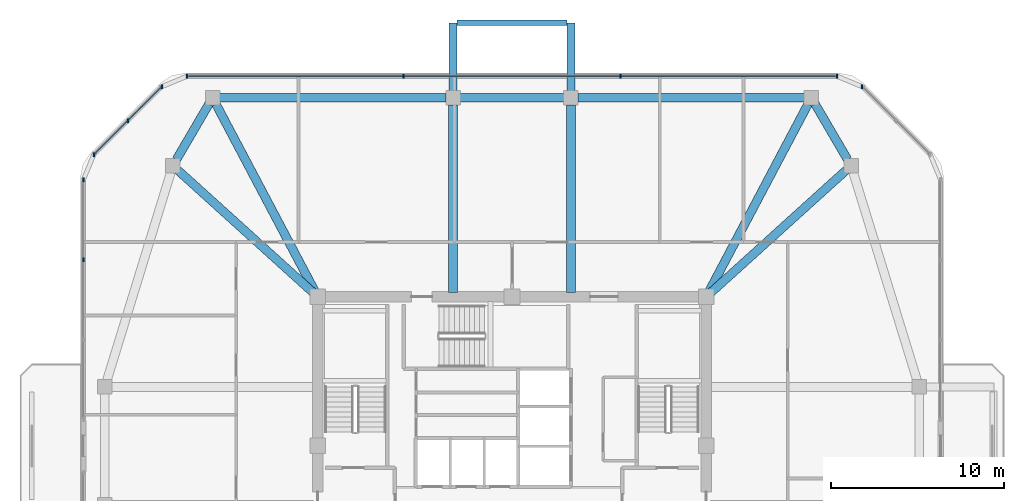
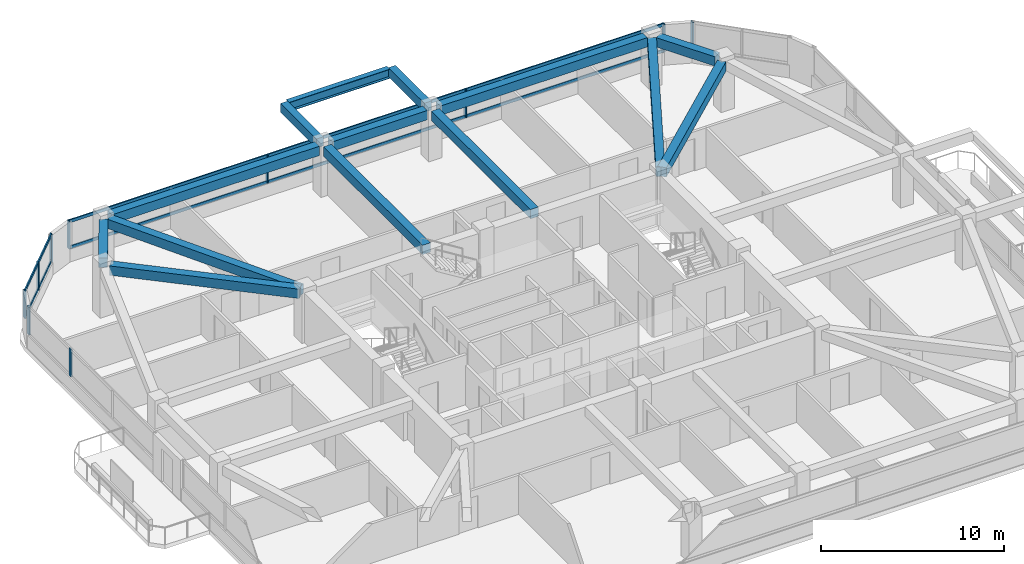
# One storey, part 6 of 14: 14 beams, 14 members, 4 elements without a shape of their own.
"""IFC4 building model written with IfcOpenShell, lengths in metres."""

from ifc_helpers import new_model, si_unit, derived_unit, direction, frame, origin, origin_2d, place, context, subcontext, project, spatial, rectangle, i_section, extrude, material, material_profile, profile_set, type_object, element, aggregate, save


model = new_model("IFC4")

# Units and contexts
model_context = context("Model", 3, precision=1e-05, world=origin(), true_north=direction((0.0, 1.0)))
body_context = subcontext(model_context, "Body", "Model", "MODEL_VIEW")
ifc_project = project(units=[si_unit("LENGTHUNIT", "METRE"), si_unit("AREAUNIT", "SQUARE_METRE"), si_unit("VOLUMEUNIT", "CUBIC_METRE"), si_unit("PLANEANGLEUNIT", "RADIAN"), si_unit("MASSUNIT", "GRAM", prefix="KILO"), derived_unit("THERMALTRANSMITTANCEUNIT", [(si_unit("POWERUNIT", "WATT"), 1), (si_unit("LENGTHUNIT", "METRE"), -2), (si_unit("THERMODYNAMICTEMPERATUREUNIT", "KELVIN"), -1)])], contexts=[model_context])

# Site, building, storey
site_placement = place(None, origin())
site = spatial("IfcSite", under=ifc_project, at=site_placement, CompositionType="ELEMENT")
building_placement = place(site_placement, origin())
building = spatial("IfcBuilding", under=site, at=building_placement, Name="Koralith Skygarden Medical Center", CompositionType="ELEMENT")
storey_placement = place(building_placement, frame((0.0, 0.0, 242.820068359375)))
storey = spatial("IfcBuildingStorey", under=building, at=storey_placement, Name="L62", CompositionType="ELEMENT", Elevation=242.820068359375)

# Curtain wall, member
ifc_material_1 = material(Name="Clear Laminated Glass", Category="glass")
curtain_wall_type = type_object("IfcCurtainWallType", Name="CW-6 Zone 5 Upper Clinical Curtain Wall", PredefinedType="NOTDEFINED", material=ifc_material_1)
curtain_wall_1_placement = place(storey_placement, origin())
curtain_wall_1 = element("IfcCurtainWall", 1, at=curtain_wall_1_placement, inside=storey, type_object=curtain_wall_type, Name="Curtain Wall CW-L62-NE", PredefinedType="NOTDEFINED")
ifc_material_2 = material(Name="Aluminium 6063-T6", Category="aluminium")
ifc_material_profile_1 = material_profile(ifc_material_2, rectangle(XDim=0.0830078125, YDim=0.219970703125, at=origin_2d()), Name="MUL83X220")
ifc_profile_set_1 = profile_set([ifc_material_profile_1], Name="Aluminium 6063-T6")
member_type_1 = type_object("IfcMemberType", Name="CW-6 Extruded Mullion 83x220", PredefinedType="MULLION", material=ifc_profile_set_1)
member_1_placement = place(storey_placement, frame((57.196044921875, 46.618896484375, 0.849853515625), z_axis=(0.0, 0.0, 1.0), x_axis=(1.0, 0.0, 0.0)))
member_1 = element("IfcMember", 2, at=member_1_placement, type_object=member_type_1, Name="CW-L62-NE Mullion 3", PredefinedType="MULLION", context=body_context, shape_type="SweptSolid", body=[
    extrude(rectangle(XDim=0.0830078125, YDim=0.219970703125, at=origin_2d()), origin(), (0.0, 0.0, 1.0), 1.840087890625),
])
aggregate(curtain_wall_1, [member_1])

# Curtain wall, members
curtain_wall_2_placement = place(storey_placement, origin())
curtain_wall_2 = element("IfcCurtainWall", 3, at=curtain_wall_2_placement, inside=storey, type_object=curtain_wall_type, Name="Curtain Wall CW-L62-N", PredefinedType="NOTDEFINED")
member_2_placement = place(storey_placement, frame((55.7451171875, 47.219970703125, 0.849853515625), z_axis=(0.0, 0.0, 1.0), x_axis=(1.0, 0.0, 0.0)))
member_2 = element("IfcMember", 4, at=member_2_placement, type_object=member_type_1, Name="CW-L62-N Mullion 1", PredefinedType="MULLION", context=body_context, shape_type="SweptSolid", body=[
    extrude(rectangle(XDim=0.0830078125, YDim=0.219970703125, at=origin_2d()), origin(), (0.0, 0.0, 1.0), 1.840087890625),
])
member_3_placement = place(storey_placement, frame((43.248046875, 47.219970703125, 0.849853515625), z_axis=(0.0, 0.0, 1.0), x_axis=(1.0, 0.0, 0.0)))
member_3 = element("IfcMember", 5, at=member_3_placement, type_object=member_type_1, Name="CW-L62-N Mullion 2", PredefinedType="MULLION", context=body_context, shape_type="SweptSolid", body=[
    extrude(rectangle(XDim=0.0830078125, YDim=0.219970703125, at=origin_2d()), origin(), (0.0, 0.0, 1.0), 1.840087890625),
])
member_4_placement = place(storey_placement, frame((30.751953125, 47.219970703125, 0.849853515625), z_axis=(0.0, 0.0, 1.0), x_axis=(1.0, 0.0, 0.0)))
member_4 = element("IfcMember", 6, at=member_4_placement, type_object=member_type_1, Name="CW-L62-N Mullion 3", PredefinedType="MULLION", context=body_context, shape_type="SweptSolid", body=[
    extrude(rectangle(XDim=0.0830078125, YDim=0.219970703125, at=origin_2d()), origin(), (0.0, 0.0, 1.0), 1.840087890625),
])
member_5_placement = place(storey_placement, frame((18.2548828125, 47.219970703125, 0.849853515625), z_axis=(0.0, 0.0, 1.0), x_axis=(1.0, 0.0, 0.0)))
member_5 = element("IfcMember", 7, at=member_5_placement, type_object=member_type_1, Name="CW-L62-N Mullion 4", PredefinedType="MULLION", context=body_context, shape_type="SweptSolid", body=[
    extrude(rectangle(XDim=0.0830078125, YDim=0.219970703125, at=origin_2d()), origin(), (0.0, 0.0, 1.0), 1.840087890625),
])

curtain_wall_3_placement = place(storey_placement, origin())
curtain_wall_3 = element("IfcCurtainWall", 8, at=curtain_wall_3_placement, inside=storey, type_object=curtain_wall_type, Name="Curtain Wall CW-L62-NW", PredefinedType="NOTDEFINED")
member_6_placement = place(storey_placement, frame((16.803955078125, 46.618896484375, 0.849853515625), z_axis=(0.0, 0.0, 1.0), x_axis=(1.0, 0.0, 0.0)))
member_6 = element("IfcMember", 9, at=member_6_placement, type_object=member_type_1, Name="CW-L62-NW Mullion 1", PredefinedType="MULLION", context=body_context, shape_type="SweptSolid", body=[
    extrude(rectangle(XDim=0.0830078125, YDim=0.219970703125, at=origin_2d()), origin(), (0.0, 0.0, 1.0), 1.840087890625),
])
member_7_placement = place(storey_placement, frame((14.842041015625, 44.656982421875, 0.849853515625), z_axis=(0.0, 0.0, 1.0), x_axis=(1.0, 0.0, 0.0)))
member_7 = element("IfcMember", 10, at=member_7_placement, type_object=member_type_1, Name="CW-L62-NW Mullion 2", PredefinedType="MULLION", context=body_context, shape_type="SweptSolid", body=[
    extrude(rectangle(XDim=0.0830078125, YDim=0.219970703125, at=origin_2d()), origin(), (0.0, 0.0, 1.0), 1.840087890625),
])
member_8_placement = place(storey_placement, frame((12.881103515625, 42.696044921875, 0.849853515625), z_axis=(0.0, 0.0, 1.0), x_axis=(1.0, 0.0, 0.0)))
member_8 = element("IfcMember", 11, at=member_8_placement, type_object=member_type_1, Name="CW-L62-NW Mullion 3", PredefinedType="MULLION", context=body_context, shape_type="SweptSolid", body=[
    extrude(rectangle(XDim=0.0830078125, YDim=0.219970703125, at=origin_2d()), origin(), (0.0, 0.0, 1.0), 1.840087890625),
])

curtain_wall_4_placement = place(storey_placement, origin())
curtain_wall_4 = element("IfcCurtainWall", 12, at=curtain_wall_4_placement, inside=storey, type_object=curtain_wall_type, Name="Curtain Wall CW-L62-W-L", PredefinedType="NOTDEFINED")
member_9_placement = place(storey_placement, frame((12.280029296875, 41.2451171875, 0.849853515625), z_axis=(0.0, 0.0, 1.0), x_axis=(1.0, 0.0, 0.0)))
member_9 = element("IfcMember", 13, at=member_9_placement, type_object=member_type_1, Name="CW-L62-W-L Mullion 1", PredefinedType="MULLION", context=body_context, shape_type="SweptSolid", body=[
    extrude(rectangle(XDim=0.0830078125, YDim=0.219970703125, at=origin_2d()), origin(), (0.0, 0.0, 1.0), 1.840087890625),
])
member_10_placement = place(storey_placement, frame((12.280029296875, 36.64306640625, 0.849853515625), z_axis=(0.0, 0.0, 1.0), x_axis=(1.0, 0.0, 0.0)))
member_10 = element("IfcMember", 14, at=member_10_placement, type_object=member_type_1, Name="CW-L62-W-L Mullion 2", PredefinedType="MULLION", context=body_context, shape_type="SweptSolid", body=[
    extrude(rectangle(XDim=0.0830078125, YDim=0.219970703125, at=origin_2d()), origin(), (0.0, 0.0, 1.0), 1.840087890625),
])
aggregate(curtain_wall_4, [member_9, member_10])

# Member
ifc_material_profile_2 = material_profile(ifc_material_2, rectangle(XDim=0.077880859375, YDim=0.197998046875, at=origin_2d()), Name="TRN78X198")
ifc_profile_set_2 = profile_set([ifc_material_profile_2], Name="Aluminium 6063-T6")
member_type_2 = type_object("IfcMemberType", Name="CW-6 Thermal Transom 78x198", PredefinedType="USERDEFINED", material=ifc_profile_set_2)
member_11_placement = place(storey_placement, frame((55.7451171875, 47.219970703125, 0.89990234375), z_axis=(-1.0, 0.0, 0.0), x_axis=(0.0, -1.0, 0.0)))
member_11 = element("IfcMember", 15, at=member_11_placement, type_object=member_type_2, Name="CW-L62-N Transom 1", ObjectType="TRANSOM", PredefinedType="USERDEFINED", context=body_context, shape_type="SweptSolid", body=[
    extrude(rectangle(XDim=0.077880859375, YDim=0.197998046875, at=origin_2d()), origin(), (0.0, 0.0, 1.0), 37.490234375),
])

member_12_placement = place(storey_placement, frame((55.7451171875, 47.219970703125, 2.639892578125), z_axis=(-1.0, 0.0, 0.0), x_axis=(0.0, -1.0, 0.0)))
member_12 = element("IfcMember", 16, at=member_12_placement, type_object=member_type_2, Name="CW-L62-N Transom 2", ObjectType="TRANSOM", PredefinedType="USERDEFINED", context=body_context, shape_type="SweptSolid", body=[
    extrude(rectangle(XDim=0.077880859375, YDim=0.197998046875, at=origin_2d()), origin(), (0.0, 0.0, 1.0), 37.490234375),
])

aggregate(curtain_wall_2, [member_2, member_3, member_4, member_5, member_11, member_12])

member_13_placement = place(storey_placement, frame((16.803955078125, 46.618896484375, 0.89990234375), z_axis=(-0.707106781187, -0.707106781187, 0.0), x_axis=(0.707106781187, -0.707106781187, 0.0)))
member_13 = element("IfcMember", 17, at=member_13_placement, type_object=member_type_2, Name="CW-L62-NW Transom 1", ObjectType="TRANSOM", PredefinedType="USERDEFINED", context=body_context, shape_type="SweptSolid", body=[
    extrude(rectangle(XDim=0.077880859375, YDim=0.197998046875, at=origin_2d()), origin(), (0.0, 0.0, 1.0), 5.5478515625),
])

member_14_placement = place(storey_placement, frame((16.803955078125, 46.618896484375, 2.639892578125), z_axis=(-0.707106781187, -0.707106781187, 0.0), x_axis=(0.707106781187, -0.707106781187, 0.0)))
member_14 = element("IfcMember", 18, at=member_14_placement, type_object=member_type_2, Name="CW-L62-NW Transom 2", ObjectType="TRANSOM", PredefinedType="USERDEFINED", context=body_context, shape_type="SweptSolid", body=[
    extrude(rectangle(XDim=0.077880859375, YDim=0.197998046875, at=origin_2d()), origin(), (0.0, 0.0, 1.0), 5.5478515625),
])

aggregate(curtain_wall_3, [member_6, member_7, member_8, member_13, member_14])

# Beams
ifc_material_3 = material(Name="Steel ASTM A992 Grade 50", Category="steel")
ifc_material_profile_3 = material_profile(ifc_material_3, i_section(OverallWidth=0.326904296875, OverallDepth=0.6220703125, WebThickness=0.015380859375, FlangeThickness=0.0244140625, at=origin_2d()), Name="W24X131")
ifc_profile_set_3 = profile_set([ifc_material_profile_3], Name="Steel ASTM A992 Grade 50")
beam_type_1 = type_object("IfcBeamType", Name="Cantilever Tie Beam W24X131", PredefinedType="BEAM", material=ifc_profile_set_3)
beam_1_placement = place(storey_placement, frame((33.820068359375, 50.300048828125, 3.029052734375), z_axis=(1.0, 0.0, 0.0), x_axis=(0.0, 1.0, 0.0)))
element("IfcBeam", 19, at=beam_1_placement, inside=storey, type_object=beam_type_1, Name="L63 N Balcony Tip Tie Beam", PredefinedType="BEAM", context=body_context, shape_type="SweptSolid", body=[
    extrude(i_section(OverallWidth=0.326904296875, OverallDepth=0.6220703125, WebThickness=0.015380859375, FlangeThickness=0.0244140625, at=origin_2d()), origin(), (0.0, 0.0, 1.0), 6.35986328125),
])
ifc_material_4 = material(Name="Concrete C45/55", Category="concrete")
ifc_material_profile_4 = material_profile(ifc_material_4, rectangle(XDim=0.449951171875, YDim=0.60009765625, at=origin_2d()), Name="RCB450X600")
ifc_profile_set_4 = profile_set([ifc_material_profile_4], Name="Concrete C45/55")
beam_type_2 = type_object("IfcBeamType", Name="Planted Balcony Cantilever Beam RCB450X600", PredefinedType="BEAM", material=ifc_profile_set_4)
for number, where, z_axis, x_axis, name in (
    (20, (33.60009765625, 46.3798828125, 3.0400390625), (0.0, 1.0, 0.0), (-1.0, 0.0, 0.0), "L63 N Balcony Cantilever Beam A"),
    (21, (40.39990234375, 46.3798828125, 3.0400390625), (0.0, 1.0, 0.0), (-1.0, 0.0, 0.0), "L63 N Balcony Cantilever Beam B"),
):
    element("IfcBeam", number, at=place(storey_placement, frame(where, z_axis=z_axis, x_axis=x_axis)), inside=storey, type_object=beam_type_2, Name=name, PredefinedType="BEAM", context=body_context, shape_type="SweptSolid", body=[
        extrude(rectangle(XDim=0.449951171875, YDim=0.60009765625, at=origin_2d()), origin(), (0.0, 0.0, 1.0), 3.920166015625),
    ])
ifc_material_profile_5 = material_profile(ifc_material_4, rectangle(XDim=0.5, YDim=0.6201171875, at=origin_2d()), Name="RCB500X620")
ifc_profile_set_5 = profile_set([ifc_material_profile_5], Name="Concrete C45/55")
beam_type_3 = type_object("IfcBeamType", Name="Upper Radial Collector Beam RCB500X620", PredefinedType="BEAM", material=ifc_profile_set_5)
beam_2_placement = place(storey_placement, frame((48.385009765625, 34.66796875, 3.010009765625), z_axis=(0.741747768548, 0.670678945438, 0.0), x_axis=(-0.670678945438, 0.741747768548, 0.0)))
element("IfcBeam", 22, at=beam_2_placement, inside=storey, type_object=beam_type_3, Name="L62 Radial Collector Beam RB-10", PredefinedType="BEAM", context=body_context, shape_type="SweptSolid", body=[
    extrude(rectangle(XDim=0.5, YDim=0.6201171875, at=origin_2d()), origin(), (0.0, 0.0, 1.0), 10.611572265625),
])
beam_3_placement = place(storey_placement, frame((48.31689453125, 34.720947265625, 3.010009765625), z_axis=(0.467256895772, 0.884121594213, 0.0), x_axis=(-0.884121594213, 0.467256895772, 0.0)))
element("IfcBeam", 23, at=beam_3_placement, inside=storey, type_object=beam_type_3, Name="L62 Radial Collector Beam RB-11", PredefinedType="BEAM", context=body_context, shape_type="SweptSolid", body=[
    extrude(rectangle(XDim=0.5, YDim=0.6201171875, at=origin_2d()), origin(), (0.0, 0.0, 1.0), 12.3251953125),
])
for number, where, z_axis, x_axis, name in (
    (24, (40.39990234375, 34.75, 3.010009765625), (0.0, 1.0, 0.0), (-1.0, 0.0, 0.0), "L62 Radial Collector Beam RB-12"),
    (25, (33.60009765625, 34.75, 3.010009765625), (0.0, 1.0, 0.0), (-1.0, 0.0, 0.0), "L62 Radial Collector Beam RB-13"),
):
    element("IfcBeam", number, at=place(storey_placement, frame(where, z_axis=z_axis, x_axis=x_axis)), inside=storey, type_object=beam_type_3, Name=name, PredefinedType="BEAM", context=body_context, shape_type="SweptSolid", body=[
        extrude(rectangle(XDim=0.5, YDim=0.6201171875, at=origin_2d()), origin(), (0.0, 0.0, 1.0), 10.820068359375),
    ])
beam_4_placement = place(storey_placement, frame((25.68310546875, 34.720947265625, 3.010009765625), z_axis=(-0.467256895772, 0.884121594213, 0.0), x_axis=(-0.884121594213, -0.467256895772, 0.0)))
element("IfcBeam", 26, at=beam_4_placement, inside=storey, type_object=beam_type_3, Name="L62 Radial Collector Beam RB-14", PredefinedType="BEAM", context=body_context, shape_type="SweptSolid", body=[
    extrude(rectangle(XDim=0.5, YDim=0.6201171875, at=origin_2d()), origin(), (0.0, 0.0, 1.0), 12.3251953125),
])
beam_5_placement = place(storey_placement, frame((25.614990234375, 34.66796875, 3.010009765625), z_axis=(-0.741747768548, 0.670678945438, 0.0), x_axis=(-0.670678945438, -0.741747768548, 0.0)))
element("IfcBeam", 27, at=beam_5_placement, inside=storey, type_object=beam_type_3, Name="L62 Radial Collector Beam RB-15", PredefinedType="BEAM", context=body_context, shape_type="SweptSolid", body=[
    extrude(rectangle(XDim=0.5, YDim=0.6201171875, at=origin_2d()), origin(), (0.0, 0.0, 1.0), 10.611572265625),
])
ifc_material_profile_6 = material_profile(ifc_material_4, rectangle(XDim=0.5, YDim=0.6201171875, at=origin_2d()), Name="RCB500X620")
ifc_profile_set_6 = profile_set([ifc_material_profile_6], Name="Concrete C45/55")
beam_type_4 = type_object("IfcBeamType", Name="Zone 4-5 Spandrel Beam RCB500X620", PredefinedType="SPANDREL", material=ifc_profile_set_6)
beam_6_placement = place(storey_placement, frame((56.35302734375, 42.4140625, 3.010009765625), z_axis=(-0.50473571007, 0.863273921175, 0.0), x_axis=(-0.863273921175, -0.50473571007, 0.0)))
element("IfcBeam", 28, at=beam_6_placement, inside=storey, type_object=beam_type_4, Name="L62 Perimeter Spandrel Beam SP-10", PredefinedType="SPANDREL", context=body_context, shape_type="SweptSolid", body=[
    extrude(rectangle(XDim=0.5, YDim=0.6201171875, at=origin_2d()), origin(), (0.0, 0.0, 1.0), 3.720703125),
])
beam_7_placement = place(storey_placement, frame((53.85791015625, 45.97998046875, 3.010009765625), z_axis=(-1.0, 0.0, 0.0), x_axis=(0.0, -1.0, 0.0)))
element("IfcBeam", 29, at=beam_7_placement, inside=storey, type_object=beam_type_4, Name="L62 Perimeter Spandrel Beam SP-11", PredefinedType="SPANDREL", context=body_context, shape_type="SweptSolid", body=[
    extrude(rectangle(XDim=0.5, YDim=0.6201171875, at=origin_2d()), origin(), (0.0, 0.0, 1.0), 13.0478515625),
])
beam_8_placement = place(storey_placement, frame((39.989990234375, 45.97998046875, 3.010009765625), z_axis=(-1.0, 0.0, 0.0), x_axis=(0.0, -1.0, 0.0)))
element("IfcBeam", 30, at=beam_8_placement, inside=storey, type_object=beam_type_4, Name="L62 Perimeter Spandrel Beam SP-12", PredefinedType="SPANDREL", context=body_context, shape_type="SweptSolid", body=[
    extrude(rectangle(XDim=0.5, YDim=0.6201171875, at=origin_2d()), origin(), (0.0, 0.0, 1.0), 5.97998046875),
])
beam_9_placement = place(storey_placement, frame((33.18994140625, 45.97998046875, 3.010009765625), z_axis=(-1.0, 0.0, 0.0), x_axis=(0.0, -1.0, 0.0)))
element("IfcBeam", 31, at=beam_9_placement, inside=storey, type_object=beam_type_4, Name="L62 Perimeter Spandrel Beam SP-13", PredefinedType="SPANDREL", context=body_context, shape_type="SweptSolid", body=[
    extrude(rectangle(XDim=0.5, YDim=0.6201171875, at=origin_2d()), origin(), (0.0, 0.0, 1.0), 13.0478515625),
])
beam_10_placement = place(storey_placement, frame((19.52490234375, 45.6259765625, 3.010009765625), z_axis=(-0.50473571007, -0.863273921175, 0.0), x_axis=(0.863273921175, -0.50473571007, 0.0)))
element("IfcBeam", 32, at=beam_10_placement, inside=storey, type_object=beam_type_4, Name="L62 Perimeter Spandrel Beam SP-14", PredefinedType="SPANDREL", context=body_context, shape_type="SweptSolid", body=[
    extrude(rectangle(XDim=0.5, YDim=0.6201171875, at=origin_2d()), origin(), (0.0, 0.0, 1.0), 3.720703125),
])

save(model, "model.ifc")
